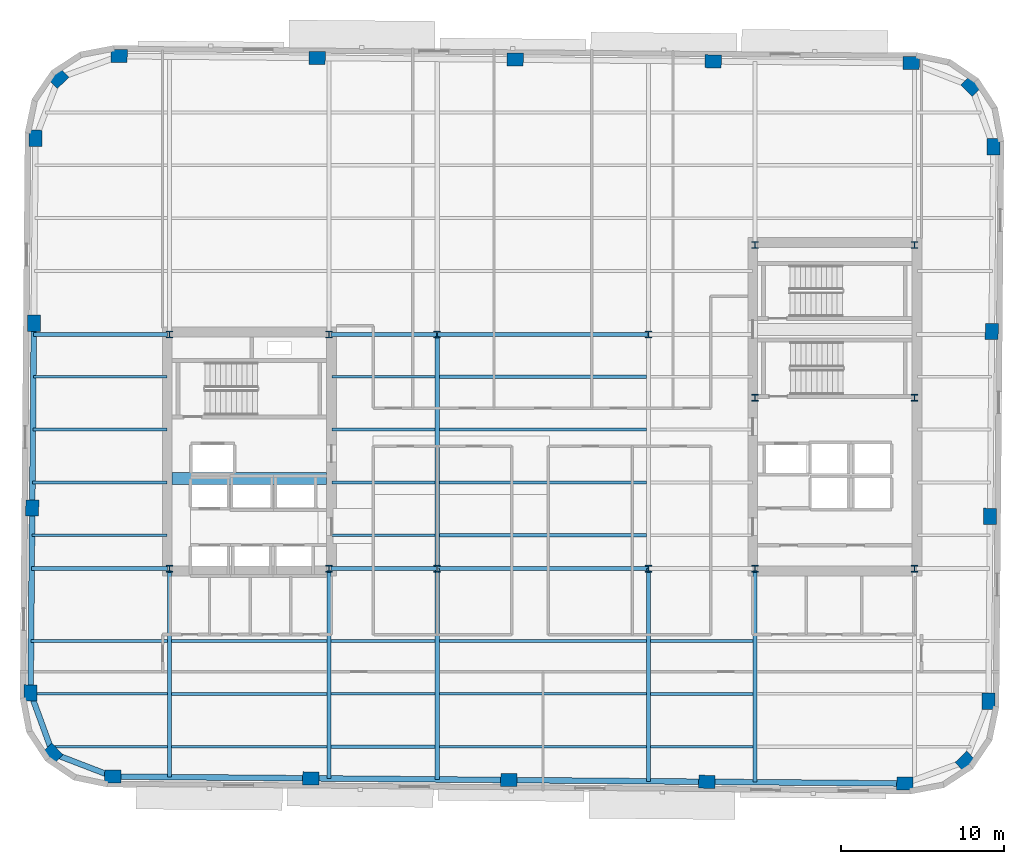
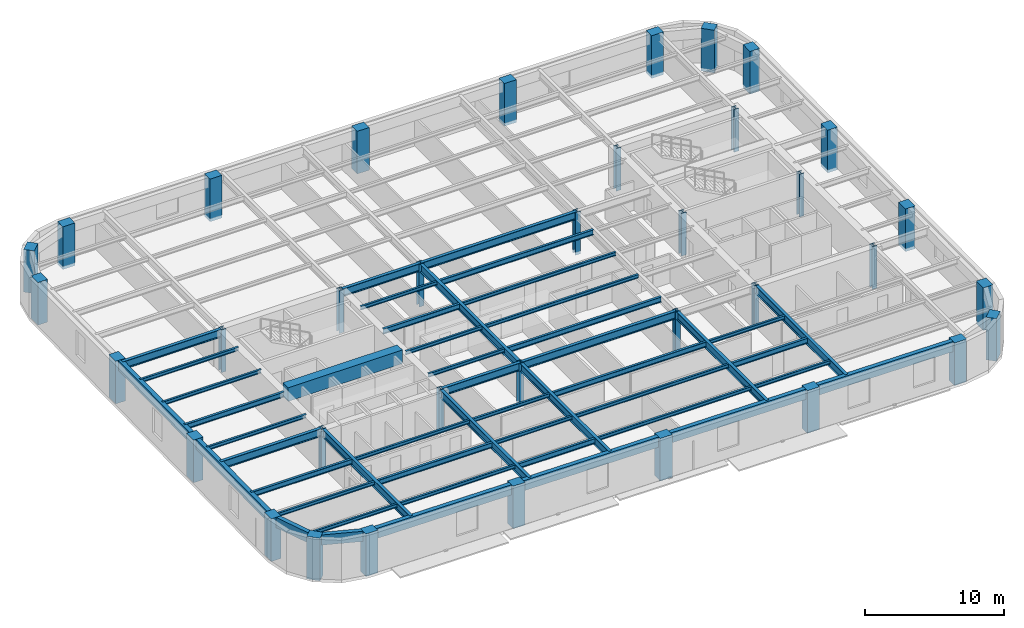
# One storey, part 1 of 11: 48 beams, 36 columns.
"""IFC4 building model written with IfcOpenShell, lengths in metres."""

from ifc_helpers import new_model, si_unit, direction, frame, origin, origin_2d, place, context, subcontext, project, spatial, rectangle, hollow_rectangle, i_section, extrude, material, material_profile, profile_set, type_object, element, save


model = new_model("IFC4")

# Units and contexts
model_context = context("Model", 3, precision=1e-05, world=origin(), true_north=direction((0.0, 1.0)))
body_context = subcontext(model_context, "Body", "Model", "MODEL_VIEW")
ifc_project = project(units=[si_unit("LENGTHUNIT", "METRE"), si_unit("AREAUNIT", "SQUARE_METRE"), si_unit("VOLUMEUNIT", "CUBIC_METRE"), si_unit("PLANEANGLEUNIT", "RADIAN"), si_unit("MASSUNIT", "GRAM", prefix="KILO")], contexts=[model_context])

# Site, building, storey
site_placement = place(None, origin())
site = spatial("IfcSite", under=ifc_project, at=site_placement, CompositionType="ELEMENT")
building_placement = place(site_placement, origin())
building = spatial("IfcBuilding", under=site, at=building_placement, Name="Kolvaren Arena Tower", CompositionType="ELEMENT")
storey_placement = place(building_placement, frame((0.0, 0.0, 180.949951171875)))
storey = spatial("IfcBuildingStorey", under=building, at=storey_placement, Name="L43", CompositionType="ELEMENT", Elevation=180.949951171875)

# Columns
ifc_material_1 = material(Name="Precast concrete C60/75", Category="concrete")
ifc_material_profile_1 = material_profile(ifc_material_1, rectangle(XDim=1.0, YDim=0.800048828125, at=origin_2d()), Name="RC-1000x800")
ifc_profile_set_1 = profile_set([ifc_material_profile_1], Name="Precast concrete C60/75")
column_type_1 = type_object("IfcColumnType", Name="EXCOL-Z3", PredefinedType="COLUMN", material=ifc_profile_set_1)
for number, where, z_axis, x_axis, name in (
    (1, (11.0576171875, 6.663330078125, -0.27001953125), (0.0, 0.0, 1.0), (0.999961923064, -0.008726535498, 0.0), "Exoskeleton Perimeter Column 01 (L43)"),
    (2, (23.232177734375, 6.55712890625, -0.27001953125), (0.0, 0.0, 1.0), (0.999961923064, -0.008726535498, 0.0), "Exoskeleton Perimeter Column 02 (L43)"),
    (3, (35.40673828125, 6.45068359375, -0.27001953125), (0.0, 0.0, 1.0), (0.999961923064, -0.008726535498, 0.0), "Exoskeleton Perimeter Column 03 (L43)"),
    (4, (47.581298828125, 6.344482421875, -0.27001953125), (0.0, 0.0, 1.0), (0.999961923064, -0.008726535498, 0.0), "Exoskeleton Perimeter Column 04 (L43)"),
    (5, (59.755859375, 6.23828125, -0.27001953125), (0.0, 0.0, 1.0), (0.999961923064, -0.008726535498, 0.0), "Exoskeleton Perimeter Column 05 (L43)"),
    (6, (63.4765625, 7.59716796875, -0.27001953125), (0.0, 0.0, 1.0), (0.713250449154, 0.7009092643, 0.0), "Exoskeleton Perimeter Column 06 (L43)"),
    (7, (64.900146484375, 11.293701171875, -0.27001953125), (0.0, 0.0, 1.0), (0.008726535498, 0.999961923064, 0.0), "Exoskeleton Perimeter Column 07 (L43)"),
    (8, (64.999267578125, 22.659912109375, -0.27001953125), (0.0, 0.0, 1.0), (0.008726535498, 0.999961923064, 0.0), "Exoskeleton Perimeter Column 08 (L43)"),
    (9, (65.098388671875, 34.026123046875, -0.27001953125), (0.0, 0.0, 1.0), (0.008726535498, 0.999961923064, 0.0), "Exoskeleton Perimeter Column 09 (L43)"),
    (10, (65.19775390625, 45.392333984375, -0.27001953125), (0.0, 0.0, 1.0), (0.008726535498, 0.999961923064, 0.0), "Exoskeleton Perimeter Column 10 (L43)"),
    (11, (63.8388671875, 49.113037109375, -0.27001953125), (0.0, 0.0, 1.0), (-0.7009092643, 0.713250449154, 0.0), "Exoskeleton Perimeter Column 11 (L43)"),
    (12, (60.142333984375, 50.53662109375, -0.27001953125), (0.0, 0.0, 1.0), (0.999961923064, -0.008726535498, 0.0), "Exoskeleton Perimeter Column 12 (L43)"),
    (13, (47.9677734375, 50.642822265625, -0.27001953125), (0.0, 0.0, 1.0), (0.999961923064, -0.008726535498, 0.0), "Exoskeleton Perimeter Column 13 (L43)"),
    (14, (35.793212890625, 50.749267578125, -0.27001953125), (0.0, 0.0, 1.0), (0.999961923064, -0.008726535498, 0.0), "Exoskeleton Perimeter Column 14 (L43)"),
    (15, (23.618896484375, 50.85546875, -0.27001953125), (0.0, 0.0, 1.0), (0.999961923064, -0.008726535498, 0.0), "Exoskeleton Perimeter Column 15 (L43)"),
    (16, (11.444091796875, 50.961669921875, -0.27001953125), (0.0, 0.0, 1.0), (0.999961923064, -0.008726535498, 0.0), "Exoskeleton Perimeter Column 16 (L43)"),
    (17, (7.723388671875, 49.602783203125, -0.27001953125), (0.0, 0.0, 1.0), (0.713250449154, 0.7009092643, 0.0), "Exoskeleton Perimeter Column 17 (L43)"),
    (18, (6.2998046875, 45.90625, -0.27001953125), (0.0, 0.0, 1.0), (0.008726535498, 0.999961923064, 0.0), "Exoskeleton Perimeter Column 18 (L43)"),
    (19, (6.20068359375, 34.5400390625, -0.27001953125), (0.0, 0.0, 1.0), (0.008726535498, 0.999961923064, 0.0), "Exoskeleton Perimeter Column 19 (L43)"),
    (20, (6.1015625, 23.173828125, -0.27001953125), (0.0, 0.0, 1.0), (0.008726535498, 0.999961923064, 0.0), "Exoskeleton Perimeter Column 20 (L43)"),
    (21, (6.002197265625, 11.8076171875, -0.27001953125), (0.0, 0.0, 1.0), (0.008726535498, 0.999961923064, 0.0), "Exoskeleton Perimeter Column 21 (L43)"),
    (22, (7.361083984375, 8.0869140625, -0.27001953125), (0.0, 0.0, 1.0), (-0.7009092643, 0.713250449154, 0.0), "Exoskeleton Perimeter Column 22 (L43)"),
):
    element("IfcColumn", number, at=place(storey_placement, frame(where, z_axis=z_axis, x_axis=x_axis)), inside=storey, type_object=column_type_1, Name=name, PredefinedType="COLUMN", context=body_context, shape_type="SweptSolid", body=[
        extrude(rectangle(XDim=1.0, YDim=0.800048828125, at=origin_2d()), origin(), (0.0, 0.0, 1.0), 3.75),
    ])
ifc_material_2 = material(Name="Steel ASTM A913 Grade 65", Category="steel")
ifc_material_profile_2 = material_profile(ifc_material_2, i_section(OverallWidth=0.406005859375, OverallDepth=0.416015625, WebThickness=0.02978515625, FlangeThickness=0.048095703125, FilletRadius=0.02001953125, at=origin_2d()), Name="W360x382")
ifc_profile_set_2 = profile_set([ifc_material_profile_2], Name="Steel ASTM A913 Grade 65")
column_type_2 = type_object("IfcColumnType", Name="SCOL-Z3", PredefinedType="COLUMN", material=ifc_profile_set_2)
for number, where, z_axis, x_axis, name in (
    (23, (14.550048828125, 19.449951171875, -0.27001953125), (0.0, 0.0, 1.0), (1.0, 0.0, 0.0), "Core Boundary Column WC-SW (L43)"),
    (24, (24.35009765625, 19.449951171875, -0.27001953125), (0.0, 0.0, 1.0), (1.0, 0.0, 0.0), "Core Boundary Column WC-SE (L43)"),
    (25, (14.550048828125, 33.85009765625, -0.27001953125), (0.0, 0.0, 1.0), (1.0, 0.0, 0.0), "Core Boundary Column WC-NW (L43)"),
    (26, (24.35009765625, 33.85009765625, -0.27001953125), (0.0, 0.0, 1.0), (1.0, 0.0, 0.0), "Core Boundary Column WC-NE (L43)"),
    (27, (50.550048828125, 19.449951171875, -0.27001953125), (0.0, 0.0, 1.0), (1.0, 0.0, 0.0), "Core Boundary Column EC-SW (L43)"),
    (28, (60.35009765625, 19.449951171875, -0.27001953125), (0.0, 0.0, 1.0), (1.0, 0.0, 0.0), "Core Boundary Column EC-SE (L43)"),
    (29, (50.550048828125, 29.949951171875, -0.27001953125), (0.0, 0.0, 1.0), (1.0, 0.0, 0.0), "Core Boundary Column EC-MW (L43)"),
    (30, (60.35009765625, 29.949951171875, -0.27001953125), (0.0, 0.0, 1.0), (1.0, 0.0, 0.0), "Core Boundary Column EC-ME (L43)"),
    (31, (50.550048828125, 39.35009765625, -0.27001953125), (0.0, 0.0, 1.0), (1.0, 0.0, 0.0), "Core Boundary Column EC-NW (L43)"),
    (32, (60.35009765625, 39.35009765625, -0.27001953125), (0.0, 0.0, 1.0), (1.0, 0.0, 0.0), "Core Boundary Column EC-NE (L43)"),
    (33, (31.0, 19.449951171875, -0.27001953125), (0.0, 0.0, 1.0), (1.0, 0.0, 0.0), "Interior Gravity Column TC-SW (L43)"),
    (34, (44.0, 19.449951171875, -0.27001953125), (0.0, 0.0, 1.0), (1.0, 0.0, 0.0), "Interior Gravity Column TC-SE (L43)"),
    (35, (31.0, 33.85009765625, -0.27001953125), (0.0, 0.0, 1.0), (1.0, 0.0, 0.0), "Interior Gravity Column TC-NW (L43)"),
    (36, (44.0, 33.85009765625, -0.27001953125), (0.0, 0.0, 1.0), (1.0, 0.0, 0.0), "Interior Gravity Column TC-NE (L43)"),
):
    element("IfcColumn", number, at=place(storey_placement, frame(where, z_axis=z_axis, x_axis=x_axis)), inside=storey, type_object=column_type_2, Name=name, PredefinedType="COLUMN", context=body_context, shape_type="SweptSolid", body=[
        extrude(i_section(OverallWidth=0.406005859375, OverallDepth=0.416015625, WebThickness=0.02978515625, FlangeThickness=0.048095703125, FilletRadius=0.02001953125, at=origin_2d()), origin(), (0.0, 0.0, 1.0), 3.75),
    ])

# Beams
ifc_material_3 = material(Name="Steel CSA G40.21 350W", Category="steel")
ifc_material_profile_3 = material_profile(ifc_material_3, i_section(OverallWidth=0.193115234375, OverallDepth=0.462890625, WebThickness=0.0107421875, FlangeThickness=0.0205078125, FilletRadius=0.012939453125, at=origin_2d()), Name="W460x113")
ifc_profile_set_3 = profile_set([ifc_material_profile_3], Name="Steel CSA G40.21 350W")
beam_type_1 = type_object("IfcBeamType", Name="BEAM-F2", PredefinedType="BEAM", material=ifc_profile_set_3)
beam_1_placement = place(storey_placement, frame((24.4775390625, 8.5, 3.24853515625), z_axis=(1.0, 0.0, 0.0), x_axis=(0.0, 1.0, 0.0)))
element("IfcBeam", 37, at=beam_1_placement, inside=storey, type_object=beam_type_1, Name="Composite Floor Beam (L43)", PredefinedType="BEAM", context=body_context, shape_type="SweptSolid", body=[
    extrude(i_section(OverallWidth=0.193115234375, OverallDepth=0.462890625, WebThickness=0.0107421875, FlangeThickness=0.0205078125, FilletRadius=0.012939453125, at=origin_2d()), origin(), (0.0, 0.0, 1.0), 6.39501953125),
])
beam_2_placement = place(storey_placement, frame((14.677490234375, 11.75, 3.24853515625), z_axis=(1.0, 0.0, 0.0), x_axis=(0.0, 1.0, 0.0)))
element("IfcBeam", 38, at=beam_2_placement, inside=storey, type_object=beam_type_1, Name="Composite Floor Beam (L43)", PredefinedType="BEAM", context=body_context, shape_type="SweptSolid", body=[
    extrude(i_section(OverallWidth=0.193115234375, OverallDepth=0.462890625, WebThickness=0.0107421875, FlangeThickness=0.0205078125, FilletRadius=0.012939453125, at=origin_2d()), origin(), (0.0, 0.0, 1.0), 9.544921875),
])
beam_3_placement = place(storey_placement, frame((44.12744140625, 11.75, 3.24853515625), z_axis=(1.0, 0.0, 0.0), x_axis=(0.0, 1.0, 0.0)))
element("IfcBeam", 39, at=beam_3_placement, inside=storey, type_object=beam_type_1, Name="Composite Floor Beam (L43)", PredefinedType="BEAM", context=body_context, shape_type="SweptSolid", body=[
    extrude(i_section(OverallWidth=0.193115234375, OverallDepth=0.462890625, WebThickness=0.0107421875, FlangeThickness=0.0205078125, FilletRadius=0.012939453125, at=origin_2d()), origin(), (0.0, 0.0, 1.0), 6.295166015625),
])
beam_4_placement = place(storey_placement, frame((6.0302734375, 15.0, 3.24853515625), z_axis=(1.0, 0.0, 0.0), x_axis=(0.0, 1.0, 0.0)))
element("IfcBeam", 40, at=beam_4_placement, inside=storey, type_object=beam_type_1, Name="Composite Floor Beam (L43)", PredefinedType="BEAM", context=body_context, shape_type="SweptSolid", body=[
    extrude(i_section(OverallWidth=0.193115234375, OverallDepth=0.462890625, WebThickness=0.0107421875, FlangeThickness=0.0205078125, FilletRadius=0.012939453125, at=origin_2d()), origin(), (0.0, 0.0, 1.0), 8.392333984375),
])
for number, where, z_axis, x_axis, name in (
    (41, (31.12744140625, 15.0, 3.24853515625), (1.0, 0.0, 0.0), (0.0, 1.0, 0.0), "Composite Floor Beam (L43)"),
    (42, (31.12744140625, 21.5, 3.24853515625), (1.0, 0.0, 0.0), (0.0, 1.0, 0.0), "Composite Floor Beam (L43)"),
):
    element("IfcBeam", number, at=place(storey_placement, frame(where, z_axis=z_axis, x_axis=x_axis)), inside=storey, type_object=beam_type_1, Name=name, PredefinedType="BEAM", context=body_context, shape_type="SweptSolid", body=[
        extrude(i_section(OverallWidth=0.193115234375, OverallDepth=0.462890625, WebThickness=0.0107421875, FlangeThickness=0.0205078125, FilletRadius=0.012939453125, at=origin_2d()), origin(), (0.0, 0.0, 1.0), 12.7451171875),
    ])
beam_5_placement = place(storey_placement, frame((6.115234375, 24.75, 3.24853515625), z_axis=(1.0, 0.0, 0.0), x_axis=(0.0, 1.0, 0.0)))
element("IfcBeam", 43, at=beam_5_placement, inside=storey, type_object=beam_type_1, Name="Composite Floor Beam (L43)", PredefinedType="BEAM", context=body_context, shape_type="SweptSolid", body=[
    extrude(i_section(OverallWidth=0.193115234375, OverallDepth=0.462890625, WebThickness=0.0107421875, FlangeThickness=0.0205078125, FilletRadius=0.012939453125, at=origin_2d()), origin(), (0.0, 0.0, 1.0), 8.2646484375),
])
beam_6_placement = place(storey_placement, frame((24.52001953125, 28.0, 3.24853515625), z_axis=(1.0, 0.0, 0.0), x_axis=(0.0, 1.0, 0.0)))
element("IfcBeam", 44, at=beam_6_placement, inside=storey, type_object=beam_type_1, Name="Composite Floor Beam (L43)", PredefinedType="BEAM", context=body_context, shape_type="SweptSolid", body=[
    extrude(i_section(OverallWidth=0.193115234375, OverallDepth=0.462890625, WebThickness=0.0107421875, FlangeThickness=0.0205078125, FilletRadius=0.012939453125, at=origin_2d()), origin(), (0.0, 0.0, 1.0), 6.3525390625),
])
beam_7_placement = place(storey_placement, frame((31.12744140625, 31.25, 3.24853515625), z_axis=(1.0, 0.0, 0.0), x_axis=(0.0, 1.0, 0.0)))
element("IfcBeam", 45, at=beam_7_placement, inside=storey, type_object=beam_type_1, Name="Composite Floor Beam (L43)", PredefinedType="BEAM", context=body_context, shape_type="SweptSolid", body=[
    extrude(i_section(OverallWidth=0.193115234375, OverallDepth=0.462890625, WebThickness=0.0107421875, FlangeThickness=0.0205078125, FilletRadius=0.012939453125, at=origin_2d()), origin(), (0.0, 0.0, 1.0), 12.7451171875),
])
ifc_material_4 = material(Name="Concrete 60 MPa", Category="concrete")
ifc_material_profile_4 = material_profile(ifc_material_4, rectangle(XDim=0.75, YDim=1.199951171875, at=origin_2d()), Name="RC-750x1200")
ifc_profile_set_4 = profile_set([ifc_material_profile_4], Name="Concrete 60 MPa")
beam_type_2 = type_object("IfcBeamType", Name="CB-CORE-2", PredefinedType="BEAM", material=ifc_profile_set_4)
beam_8_placement = place(storey_placement, frame((14.699951171875, 25.0, 3.150146484375), z_axis=(1.0, 0.0, 0.0), x_axis=(0.0, 1.0, 0.0)))
element("IfcBeam", 46, at=beam_8_placement, inside=storey, type_object=beam_type_2, Name="West Core Coupling Beam (L43)", PredefinedType="BEAM", context=body_context, shape_type="SweptSolid", body=[
    extrude(rectangle(XDim=0.75, YDim=1.199951171875, at=origin_2d()), origin(), (0.0, 0.0, 1.0), 9.5),
])
ifc_material_profile_5 = material_profile(ifc_material_3, i_section(OverallWidth=0.2548828125, OverallDepth=0.695068359375, WebThickness=0.01708984375, FlangeThickness=0.02978515625, FilletRadius=0.01611328125, at=origin_2d()), Name="W690x217")
ifc_profile_set_5 = profile_set([ifc_material_profile_5], Name="Steel CSA G40.21 350W")
beam_type_3 = type_object("IfcBeamType", Name="GIRD-T2", PredefinedType="BEAM", material=ifc_profile_set_5)
beam_9_placement = place(storey_placement, frame((6.069091796875, 19.449951171875, 3.132568359375), z_axis=(1.0, 0.0, 0.0), x_axis=(0.0, 1.0, 0.0)))
element("IfcBeam", 47, at=beam_9_placement, inside=storey, type_object=beam_type_3, Name="Primary Floor Girder (L43)", PredefinedType="BEAM", context=body_context, shape_type="SweptSolid", body=[
    extrude(i_section(OverallWidth=0.2548828125, OverallDepth=0.695068359375, WebThickness=0.01708984375, FlangeThickness=0.02978515625, FilletRadius=0.01611328125, at=origin_2d()), origin(), (0.0, 0.0, 1.0), 8.350830078125),
])
beam_10_placement = place(storey_placement, frame((24.47998046875, 19.449951171875, 3.132568359375), z_axis=(1.0, 0.0, 0.0), x_axis=(0.0, 1.0, 0.0)))
element("IfcBeam", 48, at=beam_10_placement, inside=storey, type_object=beam_type_3, Name="Primary Floor Girder (L43)", PredefinedType="BEAM", context=body_context, shape_type="SweptSolid", body=[
    extrude(i_section(OverallWidth=0.2548828125, OverallDepth=0.695068359375, WebThickness=0.01708984375, FlangeThickness=0.02978515625, FilletRadius=0.01611328125, at=origin_2d()), origin(), (0.0, 0.0, 1.0), 6.52001953125),
])
beam_11_placement = place(storey_placement, frame((31.0, 19.449951171875, 3.132568359375), z_axis=(1.0, 0.0, 0.0), x_axis=(0.0, 1.0, 0.0)))
element("IfcBeam", 49, at=beam_11_placement, inside=storey, type_object=beam_type_3, Name="Primary Floor Girder (L43)", PredefinedType="BEAM", context=body_context, shape_type="SweptSolid", body=[
    extrude(i_section(OverallWidth=0.2548828125, OverallDepth=0.695068359375, WebThickness=0.01708984375, FlangeThickness=0.02978515625, FilletRadius=0.01611328125, at=origin_2d()), origin(), (0.0, 0.0, 1.0), 13.0),
])
beam_12_placement = place(storey_placement, frame((6.194580078125, 33.85009765625, 3.132568359375), z_axis=(1.0, 0.0, 0.0), x_axis=(0.0, 1.0, 0.0)))
element("IfcBeam", 50, at=beam_12_placement, inside=storey, type_object=beam_type_3, Name="Primary Floor Girder (L43)", PredefinedType="BEAM", context=body_context, shape_type="SweptSolid", body=[
    extrude(i_section(OverallWidth=0.2548828125, OverallDepth=0.695068359375, WebThickness=0.01708984375, FlangeThickness=0.02978515625, FilletRadius=0.01611328125, at=origin_2d()), origin(), (0.0, 0.0, 1.0), 8.225341796875),
])
beam_13_placement = place(storey_placement, frame((24.47998046875, 33.85009765625, 3.132568359375), z_axis=(1.0, 0.0, 0.0), x_axis=(0.0, 1.0, 0.0)))
element("IfcBeam", 51, at=beam_13_placement, inside=storey, type_object=beam_type_3, Name="Primary Floor Girder (L43)", PredefinedType="BEAM", context=body_context, shape_type="SweptSolid", body=[
    extrude(i_section(OverallWidth=0.2548828125, OverallDepth=0.695068359375, WebThickness=0.01708984375, FlangeThickness=0.02978515625, FilletRadius=0.01611328125, at=origin_2d()), origin(), (0.0, 0.0, 1.0), 6.52001953125),
])
beam_14_placement = place(storey_placement, frame((31.0, 33.85009765625, 3.132568359375), z_axis=(1.0, 0.0, 0.0), x_axis=(0.0, 1.0, 0.0)))
element("IfcBeam", 52, at=beam_14_placement, inside=storey, type_object=beam_type_3, Name="Primary Floor Girder (L43)", PredefinedType="BEAM", context=body_context, shape_type="SweptSolid", body=[
    extrude(i_section(OverallWidth=0.2548828125, OverallDepth=0.695068359375, WebThickness=0.01708984375, FlangeThickness=0.02978515625, FilletRadius=0.01611328125, at=origin_2d()), origin(), (0.0, 0.0, 1.0), 13.0),
])
beam_15_placement = place(storey_placement, frame((14.550048828125, 6.6328125, 3.132568359375), z_axis=(0.0, 1.0, 0.0), x_axis=(-1.0, 0.0, 0.0)))
element("IfcBeam", 53, at=beam_15_placement, inside=storey, type_object=beam_type_3, Name="Primary Floor Girder (L43)", PredefinedType="BEAM", context=body_context, shape_type="SweptSolid", body=[
    extrude(i_section(OverallWidth=0.2548828125, OverallDepth=0.695068359375, WebThickness=0.01708984375, FlangeThickness=0.02978515625, FilletRadius=0.01611328125, at=origin_2d()), origin(), (0.0, 0.0, 1.0), 12.687255859375),
])
beam_16_placement = place(storey_placement, frame((24.35009765625, 6.54736328125, 3.132568359375), z_axis=(0.0, 1.0, 0.0), x_axis=(-1.0, 0.0, 0.0)))
element("IfcBeam", 54, at=beam_16_placement, inside=storey, type_object=beam_type_3, Name="Primary Floor Girder (L43)", PredefinedType="BEAM", context=body_context, shape_type="SweptSolid", body=[
    extrude(i_section(OverallWidth=0.2548828125, OverallDepth=0.695068359375, WebThickness=0.01708984375, FlangeThickness=0.02978515625, FilletRadius=0.01611328125, at=origin_2d()), origin(), (0.0, 0.0, 1.0), 12.772705078125),
])
beam_17_placement = place(storey_placement, frame((31.0, 6.4892578125, 3.132568359375), z_axis=(0.0, 1.0, 0.0), x_axis=(-1.0, 0.0, 0.0)))
element("IfcBeam", 55, at=beam_17_placement, inside=storey, type_object=beam_type_3, Name="Primary Floor Girder (L43)", PredefinedType="BEAM", context=body_context, shape_type="SweptSolid", body=[
    extrude(i_section(OverallWidth=0.2548828125, OverallDepth=0.695068359375, WebThickness=0.01708984375, FlangeThickness=0.02978515625, FilletRadius=0.01611328125, at=origin_2d()), origin(), (0.0, 0.0, 1.0), 12.960693359375),
])
beam_18_placement = place(storey_placement, frame((31.0, 19.449951171875, 3.132568359375), z_axis=(0.0, 1.0, 0.0), x_axis=(-1.0, 0.0, 0.0)))
element("IfcBeam", 56, at=beam_18_placement, inside=storey, type_object=beam_type_3, Name="Primary Floor Girder (L43)", PredefinedType="BEAM", context=body_context, shape_type="SweptSolid", body=[
    extrude(i_section(OverallWidth=0.2548828125, OverallDepth=0.695068359375, WebThickness=0.01708984375, FlangeThickness=0.02978515625, FilletRadius=0.01611328125, at=origin_2d()), origin(), (0.0, 0.0, 1.0), 14.400146484375),
])
beam_19_placement = place(storey_placement, frame((44.0, 6.375732421875, 3.132568359375), z_axis=(0.0, 1.0, 0.0), x_axis=(-1.0, 0.0, 0.0)))
element("IfcBeam", 57, at=beam_19_placement, inside=storey, type_object=beam_type_3, Name="Primary Floor Girder (L43)", PredefinedType="BEAM", context=body_context, shape_type="SweptSolid", body=[
    extrude(i_section(OverallWidth=0.2548828125, OverallDepth=0.695068359375, WebThickness=0.01708984375, FlangeThickness=0.02978515625, FilletRadius=0.01611328125, at=origin_2d()), origin(), (0.0, 0.0, 1.0), 13.07421875),
])
beam_20_placement = place(storey_placement, frame((50.550048828125, 6.318603515625, 3.132568359375), z_axis=(0.0, 1.0, 0.0), x_axis=(-1.0, 0.0, 0.0)))
element("IfcBeam", 58, at=beam_20_placement, inside=storey, type_object=beam_type_3, Name="Primary Floor Girder (L43)", PredefinedType="BEAM", context=body_context, shape_type="SweptSolid", body=[
    extrude(i_section(OverallWidth=0.2548828125, OverallDepth=0.695068359375, WebThickness=0.01708984375, FlangeThickness=0.02978515625, FilletRadius=0.01611328125, at=origin_2d()), origin(), (0.0, 0.0, 1.0), 13.00146484375),
])
ifc_material_profile_6 = material_profile(ifc_material_3, i_section(OverallWidth=0.1669921875, OverallDepth=0.31689453125, WebThickness=0.007568359375, FlangeThickness=0.01318359375, FilletRadius=0.010009765625, at=origin_2d()), Name="W310x52")
ifc_profile_set_6 = profile_set([ifc_material_profile_6], Name="Steel CSA G40.21 350W")
beam_type_4 = type_object("IfcBeamType", Name="JOIST-02", PredefinedType="JOIST", material=ifc_profile_set_6)
beam_21_placement = place(storey_placement, frame((7.210205078125, 8.5, 3.321533203125), z_axis=(1.0, 0.0, 0.0), x_axis=(0.0, 1.0, 0.0)))
element("IfcBeam", 59, at=beam_21_placement, inside=storey, type_object=beam_type_4, Name="Composite Floor Joist (L43)", PredefinedType="JOIST", context=body_context, shape_type="SweptSolid", body=[
    extrude(i_section(OverallWidth=0.1669921875, OverallDepth=0.31689453125, WebThickness=0.007568359375, FlangeThickness=0.01318359375, FilletRadius=0.010009765625, at=origin_2d()), origin(), (0.0, 0.0, 1.0), 7.21240234375),
])
beam_22_placement = place(storey_placement, frame((14.677490234375, 8.5, 3.321533203125), z_axis=(1.0, 0.0, 0.0), x_axis=(0.0, 1.0, 0.0)))
element("IfcBeam", 60, at=beam_22_placement, inside=storey, type_object=beam_type_4, Name="Composite Floor Joist (L43)", PredefinedType="JOIST", context=body_context, shape_type="SweptSolid", body=[
    extrude(i_section(OverallWidth=0.1669921875, OverallDepth=0.31689453125, WebThickness=0.007568359375, FlangeThickness=0.01318359375, FilletRadius=0.010009765625, at=origin_2d()), origin(), (0.0, 0.0, 1.0), 9.544921875),
])
beam_23_placement = place(storey_placement, frame((31.12744140625, 8.5, 3.321533203125), z_axis=(1.0, 0.0, 0.0), x_axis=(0.0, 1.0, 0.0)))
element("IfcBeam", 61, at=beam_23_placement, inside=storey, type_object=beam_type_4, Name="Composite Floor Joist (L43)", PredefinedType="JOIST", context=body_context, shape_type="SweptSolid", body=[
    extrude(i_section(OverallWidth=0.1669921875, OverallDepth=0.31689453125, WebThickness=0.007568359375, FlangeThickness=0.01318359375, FilletRadius=0.010009765625, at=origin_2d()), origin(), (0.0, 0.0, 1.0), 12.7451171875),
])
beam_24_placement = place(storey_placement, frame((44.12744140625, 8.5, 3.321533203125), z_axis=(1.0, 0.0, 0.0), x_axis=(0.0, 1.0, 0.0)))
element("IfcBeam", 62, at=beam_24_placement, inside=storey, type_object=beam_type_4, Name="Composite Floor Joist (L43)", PredefinedType="JOIST", context=body_context, shape_type="SweptSolid", body=[
    extrude(i_section(OverallWidth=0.1669921875, OverallDepth=0.31689453125, WebThickness=0.007568359375, FlangeThickness=0.01318359375, FilletRadius=0.010009765625, at=origin_2d()), origin(), (0.0, 0.0, 1.0), 6.295166015625),
])
beam_25_placement = place(storey_placement, frame((6.023193359375, 11.75, 3.321533203125), z_axis=(1.0, 0.0, 0.0), x_axis=(0.0, 1.0, 0.0)))
element("IfcBeam", 63, at=beam_25_placement, inside=storey, type_object=beam_type_4, Name="Composite Floor Joist (L43)", PredefinedType="JOIST", context=body_context, shape_type="SweptSolid", body=[
    extrude(i_section(OverallWidth=0.1669921875, OverallDepth=0.31689453125, WebThickness=0.007568359375, FlangeThickness=0.01318359375, FilletRadius=0.010009765625, at=origin_2d()), origin(), (0.0, 0.0, 1.0), 8.3994140625),
])
beam_26_placement = place(storey_placement, frame((24.4775390625, 11.75, 3.321533203125), z_axis=(1.0, 0.0, 0.0), x_axis=(0.0, 1.0, 0.0)))
element("IfcBeam", 64, at=beam_26_placement, inside=storey, type_object=beam_type_4, Name="Composite Floor Joist (L43)", PredefinedType="JOIST", context=body_context, shape_type="SweptSolid", body=[
    extrude(i_section(OverallWidth=0.1669921875, OverallDepth=0.31689453125, WebThickness=0.007568359375, FlangeThickness=0.01318359375, FilletRadius=0.010009765625, at=origin_2d()), origin(), (0.0, 0.0, 1.0), 6.39501953125),
])
beam_27_placement = place(storey_placement, frame((31.12744140625, 11.75, 3.321533203125), z_axis=(1.0, 0.0, 0.0), x_axis=(0.0, 1.0, 0.0)))
element("IfcBeam", 65, at=beam_27_placement, inside=storey, type_object=beam_type_4, Name="Composite Floor Joist (L43)", PredefinedType="JOIST", context=body_context, shape_type="SweptSolid", body=[
    extrude(i_section(OverallWidth=0.1669921875, OverallDepth=0.31689453125, WebThickness=0.007568359375, FlangeThickness=0.01318359375, FilletRadius=0.010009765625, at=origin_2d()), origin(), (0.0, 0.0, 1.0), 12.7451171875),
])
beam_28_placement = place(storey_placement, frame((14.677490234375, 15.0, 3.321533203125), z_axis=(1.0, 0.0, 0.0), x_axis=(0.0, 1.0, 0.0)))
element("IfcBeam", 66, at=beam_28_placement, inside=storey, type_object=beam_type_4, Name="Composite Floor Joist (L43)", PredefinedType="JOIST", context=body_context, shape_type="SweptSolid", body=[
    extrude(i_section(OverallWidth=0.1669921875, OverallDepth=0.31689453125, WebThickness=0.007568359375, FlangeThickness=0.01318359375, FilletRadius=0.010009765625, at=origin_2d()), origin(), (0.0, 0.0, 1.0), 9.544921875),
])
beam_29_placement = place(storey_placement, frame((24.4775390625, 15.0, 3.321533203125), z_axis=(1.0, 0.0, 0.0), x_axis=(0.0, 1.0, 0.0)))
element("IfcBeam", 67, at=beam_29_placement, inside=storey, type_object=beam_type_4, Name="Composite Floor Joist (L43)", PredefinedType="JOIST", context=body_context, shape_type="SweptSolid", body=[
    extrude(i_section(OverallWidth=0.1669921875, OverallDepth=0.31689453125, WebThickness=0.007568359375, FlangeThickness=0.01318359375, FilletRadius=0.010009765625, at=origin_2d()), origin(), (0.0, 0.0, 1.0), 6.39501953125),
])
beam_30_placement = place(storey_placement, frame((44.12744140625, 15.0, 3.321533203125), z_axis=(1.0, 0.0, 0.0), x_axis=(0.0, 1.0, 0.0)))
element("IfcBeam", 68, at=beam_30_placement, inside=storey, type_object=beam_type_4, Name="Composite Floor Joist (L43)", PredefinedType="JOIST", context=body_context, shape_type="SweptSolid", body=[
    extrude(i_section(OverallWidth=0.1669921875, OverallDepth=0.31689453125, WebThickness=0.007568359375, FlangeThickness=0.01318359375, FilletRadius=0.010009765625, at=origin_2d()), origin(), (0.0, 0.0, 1.0), 6.295166015625),
])
beam_31_placement = place(storey_placement, frame((6.0869140625, 21.5, 3.321533203125), z_axis=(1.0, 0.0, 0.0), x_axis=(0.0, 1.0, 0.0)))
element("IfcBeam", 69, at=beam_31_placement, inside=storey, type_object=beam_type_4, Name="Composite Floor Joist (L43)", PredefinedType="JOIST", context=body_context, shape_type="SweptSolid", body=[
    extrude(i_section(OverallWidth=0.1669921875, OverallDepth=0.31689453125, WebThickness=0.007568359375, FlangeThickness=0.01318359375, FilletRadius=0.010009765625, at=origin_2d()), origin(), (0.0, 0.0, 1.0), 8.29296875),
])
for number, where, z_axis, x_axis, name in (
    (70, (24.52001953125, 21.5, 3.321533203125), (1.0, 0.0, 0.0), (0.0, 1.0, 0.0), "Composite Floor Joist (L43)"),
    (71, (24.52001953125, 24.75, 3.321533203125), (1.0, 0.0, 0.0), (0.0, 1.0, 0.0), "Composite Floor Joist (L43)"),
):
    element("IfcBeam", number, at=place(storey_placement, frame(where, z_axis=z_axis, x_axis=x_axis)), inside=storey, type_object=beam_type_4, Name=name, PredefinedType="JOIST", context=body_context, shape_type="SweptSolid", body=[
        extrude(i_section(OverallWidth=0.1669921875, OverallDepth=0.31689453125, WebThickness=0.007568359375, FlangeThickness=0.01318359375, FilletRadius=0.010009765625, at=origin_2d()), origin(), (0.0, 0.0, 1.0), 6.3525390625),
    ])
beam_32_placement = place(storey_placement, frame((31.12744140625, 24.75, 3.321533203125), z_axis=(1.0, 0.0, 0.0), x_axis=(0.0, 1.0, 0.0)))
element("IfcBeam", 72, at=beam_32_placement, inside=storey, type_object=beam_type_4, Name="Composite Floor Joist (L43)", PredefinedType="JOIST", context=body_context, shape_type="SweptSolid", body=[
    extrude(i_section(OverallWidth=0.1669921875, OverallDepth=0.31689453125, WebThickness=0.007568359375, FlangeThickness=0.01318359375, FilletRadius=0.010009765625, at=origin_2d()), origin(), (0.0, 0.0, 1.0), 12.7451171875),
])
beam_33_placement = place(storey_placement, frame((6.1435546875, 28.0, 3.321533203125), z_axis=(1.0, 0.0, 0.0), x_axis=(0.0, 1.0, 0.0)))
element("IfcBeam", 73, at=beam_33_placement, inside=storey, type_object=beam_type_4, Name="Composite Floor Joist (L43)", PredefinedType="JOIST", context=body_context, shape_type="SweptSolid", body=[
    extrude(i_section(OverallWidth=0.1669921875, OverallDepth=0.31689453125, WebThickness=0.007568359375, FlangeThickness=0.01318359375, FilletRadius=0.010009765625, at=origin_2d()), origin(), (0.0, 0.0, 1.0), 8.236328125),
])
beam_34_placement = place(storey_placement, frame((31.12744140625, 28.0, 3.321533203125), z_axis=(1.0, 0.0, 0.0), x_axis=(0.0, 1.0, 0.0)))
element("IfcBeam", 74, at=beam_34_placement, inside=storey, type_object=beam_type_4, Name="Composite Floor Joist (L43)", PredefinedType="JOIST", context=body_context, shape_type="SweptSolid", body=[
    extrude(i_section(OverallWidth=0.1669921875, OverallDepth=0.31689453125, WebThickness=0.007568359375, FlangeThickness=0.01318359375, FilletRadius=0.010009765625, at=origin_2d()), origin(), (0.0, 0.0, 1.0), 12.7451171875),
])
beam_35_placement = place(storey_placement, frame((6.172119140625, 31.25, 3.321533203125), z_axis=(1.0, 0.0, 0.0), x_axis=(0.0, 1.0, 0.0)))
element("IfcBeam", 75, at=beam_35_placement, inside=storey, type_object=beam_type_4, Name="Composite Floor Joist (L43)", PredefinedType="JOIST", context=body_context, shape_type="SweptSolid", body=[
    extrude(i_section(OverallWidth=0.1669921875, OverallDepth=0.31689453125, WebThickness=0.007568359375, FlangeThickness=0.01318359375, FilletRadius=0.010009765625, at=origin_2d()), origin(), (0.0, 0.0, 1.0), 8.207763671875),
])
beam_36_placement = place(storey_placement, frame((24.52001953125, 31.25, 3.321533203125), z_axis=(1.0, 0.0, 0.0), x_axis=(0.0, 1.0, 0.0)))
element("IfcBeam", 76, at=beam_36_placement, inside=storey, type_object=beam_type_4, Name="Composite Floor Joist (L43)", PredefinedType="JOIST", context=body_context, shape_type="SweptSolid", body=[
    extrude(i_section(OverallWidth=0.1669921875, OverallDepth=0.31689453125, WebThickness=0.007568359375, FlangeThickness=0.01318359375, FilletRadius=0.010009765625, at=origin_2d()), origin(), (0.0, 0.0, 1.0), 6.3525390625),
])
ifc_material_5 = material(Name="Steel CSA G40.21 350WT", Category="steel")
ifc_material_profile_7 = material_profile(ifc_material_5, hollow_rectangle(XDim=0.35009765625, YDim=0.89990234375, WallThickness=0.02001953125, at=origin_2d()), Name="HSS 900x350x20")
ifc_profile_set_7 = profile_set([ifc_material_profile_7], Name="Steel CSA G40.21 350WT")
beam_type_5 = type_object("IfcBeamType", Name="SPAND-01", PredefinedType="SPANDREL", material=ifc_profile_set_7)
for number, where, z_axis, x_axis, name in (
    (77, (11.0576171875, 6.663330078125, 3.030029296875), (0.99996195503, -0.008722871848, 0.0), (0.008722871848, 0.99996195503, 0.0), "Perimeter Spandrel Beam (L43)"),
    (78, (23.232177734375, 6.55712890625, 3.030029296875), (0.999961779919, -0.008742922896, 0.0), (0.008742922896, 0.999961779919, 0.0), "Perimeter Spandrel Beam (L43)"),
    (79, (35.40673828125, 6.45068359375, 3.030029296875), (0.99996195503, -0.008722871848, 0.0), (0.008722871848, 0.99996195503, 0.0), "Perimeter Spandrel Beam (L43)"),
    (80, (47.581298828125, 6.344482421875, 3.030029296875), (0.99996195503, -0.008722871848, 0.0), (0.008722871848, 0.99996195503, 0.0), "Perimeter Spandrel Beam (L43)"),
):
    element("IfcBeam", number, at=place(storey_placement, frame(where, z_axis=z_axis, x_axis=x_axis)), inside=storey, type_object=beam_type_5, Name=name, PredefinedType="SPANDREL", context=body_context, shape_type="SweptSolid", body=[
        extrude(hollow_rectangle(XDim=0.35009765625, YDim=0.89990234375, WallThickness=0.02001953125, at=origin_2d()), origin(), (0.0, 0.0, 1.0), 12.175048828125),
    ])
for number, where, z_axis, x_axis, name in (
    (81, (6.20068359375, 34.5400390625, 3.030029296875), (-0.008720348885, -0.999961977035, 0.0), (0.999961977035, -0.008720348885, 0.0), "Perimeter Spandrel Beam (L43)"),
    (82, (6.1015625, 23.173828125, 3.030029296875), (-0.008741825937, -0.99996178951, 0.0), (0.99996178951, -0.008741825937, 0.0), "Perimeter Spandrel Beam (L43)"),
):
    element("IfcBeam", number, at=place(storey_placement, frame(where, z_axis=z_axis, x_axis=x_axis)), inside=storey, type_object=beam_type_5, Name=name, PredefinedType="SPANDREL", context=body_context, shape_type="SweptSolid", body=[
        extrude(hollow_rectangle(XDim=0.35009765625, YDim=0.89990234375, WallThickness=0.02001953125, at=origin_2d()), origin(), (0.0, 0.0, 1.0), 11.36669921875),
    ])
for number, where, z_axis, x_axis, name in (
    (83, (6.002197265625, 11.8076171875, 3.030029296875), (0.343059102458, -0.939313819882, 0.0), (0.939313819882, 0.343059102458, 0.0), "Perimeter Spandrel Beam (L43)"),
    (84, (7.361083984375, 8.0869140625, 3.030029296875), (0.933189846698, -0.359383792094, 0.0), (0.359383792094, 0.933189846698, 0.0), "Perimeter Spandrel Beam (L43)"),
):
    element("IfcBeam", number, at=place(storey_placement, frame(where, z_axis=z_axis, x_axis=x_axis)), inside=storey, type_object=beam_type_5, Name=name, PredefinedType="SPANDREL", context=body_context, shape_type="SweptSolid", body=[
        extrude(hollow_rectangle(XDim=0.35009765625, YDim=0.89990234375, WallThickness=0.02001953125, at=origin_2d()), origin(), (0.0, 0.0, 1.0), 3.961181640625),
    ])

save(model, "model.ifc")
